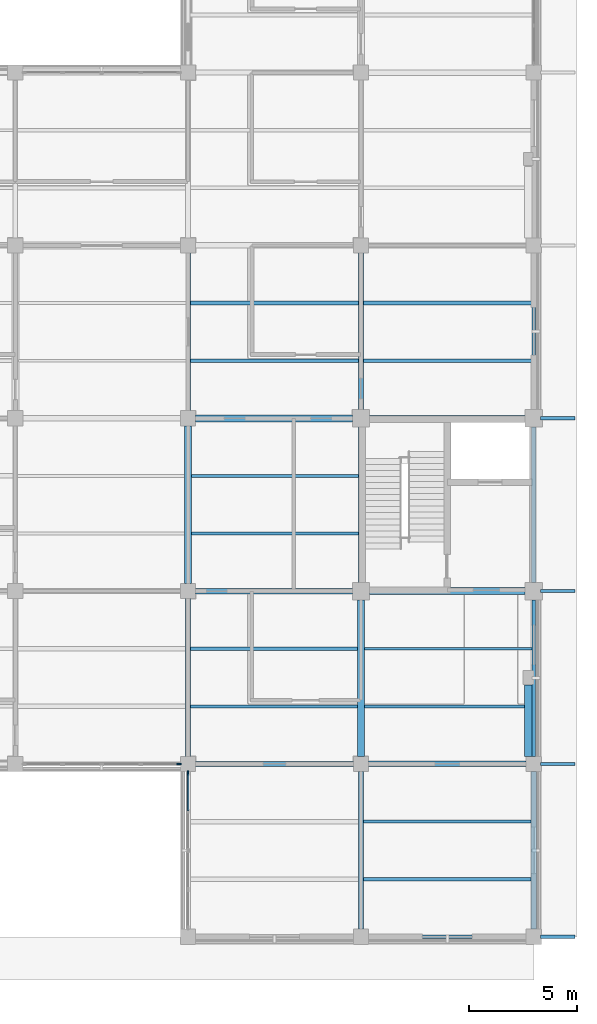
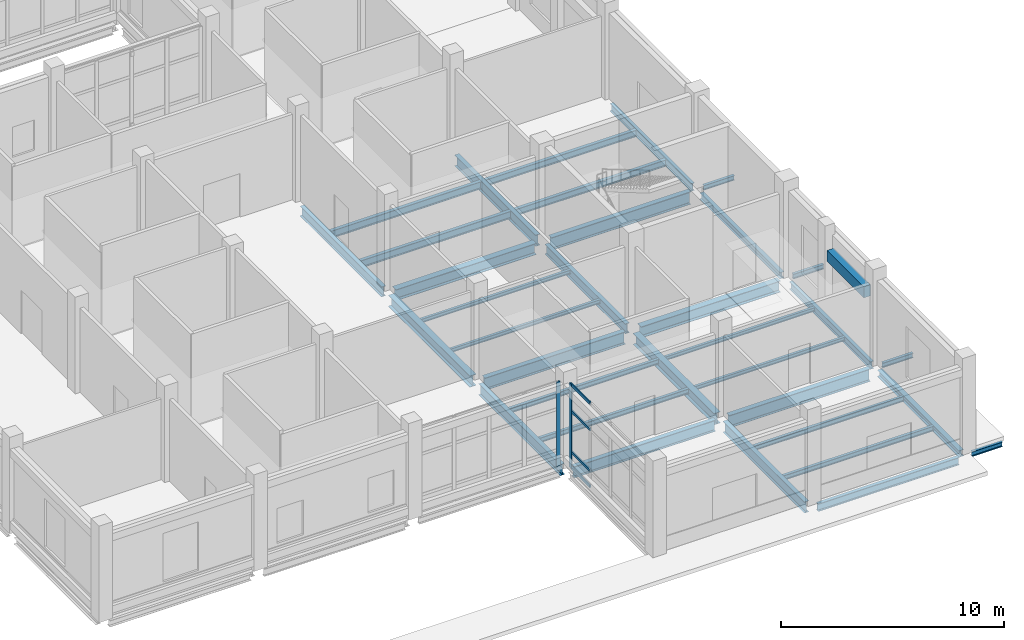
# One storey, part 35 of 105: 35 beams, 6 members, 2 elements without a shape of their own.
"""IFC4 building model written with IfcOpenShell, lengths in metres."""

import ifcopenshell
import ifcopenshell.guid

model = None  # the IFC model being written
_history = None  # IfcOwnerHistory: only IFC2X3 demands one
_inside = {}  # id of a spatial element -> (the spatial element, [elements in it])
_under = {}  # id of a project, library or spatial element -> (it, [spatial elements below it])
_declared = {}  # id of a project -> (the project, [libraries it declares])
_typed = {}  # id of a type object -> (the type object, [elements of that type])
_made_of = {}  # id of a material, layer set ... -> (it, [elements and type objects made of it])


def new_model(schema):
    """Start an empty IFC model of exactly this schema.

    Asked for "IFC4X3", IfcOpenShell would pick the latest addendum, in which some entities
    have other attributes; the version numbers below select the first issue.
    IFC2X3 requires an IfcOwnerHistory on every rooted entity: one is made here for all.
    """
    global model, _history
    if schema == "IFC4X3":
        model = ifcopenshell.file(schema_version=(4, 3, 0, 0))
    else:
        model = ifcopenshell.file(schema=schema)
    _inside.clear()
    _under.clear()
    _declared.clear()
    _typed.clear()
    _made_of.clear()
    _history = None
    if model.schema == "IFC2X3":
        org = make("IfcOrganization", Name="unknown")
        user = make(
            "IfcPersonAndOrganization",
            ThePerson=make("IfcPerson", FamilyName="unknown"),
            TheOrganization=org,
        )
        app = make(
            "IfcApplication",
            ApplicationDeveloper=org,
            Version="unknown",
            ApplicationFullName="unknown",
            ApplicationIdentifier="unknown",
        )
        _history = make(
            "IfcOwnerHistory",
            OwningUser=user,
            OwningApplication=app,
            ChangeAction="ADDED",
            CreationDate=0,
        )
    return model


def make(cls, **values):
    """One entity of the class cls with the attributes given. An attribute that is None is left unset."""
    return model.create_entity(
        cls, **{name: value for name, value in values.items() if value is not None}
    )


def rooted(cls, **values):
    """An entity with a GlobalId (a new one), such as an element, a storey or a relation."""
    return make(cls, GlobalId=ifcopenshell.guid.new(), OwnerHistory=_history, **values)


def si_unit(unit_type, name, prefix=None):
    """IfcSIUnit, for example si_unit("LENGTHUNIT", "METRE", prefix="MILLI")."""
    return make("IfcSIUnit", UnitType=unit_type, Prefix=prefix, Name=name)


def derived_unit(unit_type, elements):
    """IfcDerivedUnit: a product of units, each with its exponent."""
    return make(
        "IfcDerivedUnit",
        Elements=[
            make("IfcDerivedUnitElement", Unit=unit, Exponent=power)
            for unit, power in elements
        ],
        UnitType=unit_type,
    )


def assignment(units):
    """IfcUnitAssignment: the units of a project."""
    return None if units is None else make("IfcUnitAssignment", Units=units)


def point(xyz):
    """IfcCartesianPoint."""
    return None if xyz is None else make("IfcCartesianPoint", Coordinates=xyz)


def direction(xyz):
    """IfcDirection."""
    return None if xyz is None else make("IfcDirection", DirectionRatios=xyz)


def frame(location, z_axis=None, x_axis=None):
    """IfcAxis2Placement3D, a coordinate frame: its origin and axes. An axis left out is left unset."""
    return make(
        "IfcAxis2Placement3D",
        Location=point(location),
        Axis=direction(z_axis),
        RefDirection=direction(x_axis),
    )


def frame_2d(location, x_axis=None):
    """IfcAxis2Placement2D, a coordinate frame in the plane: its origin and x axis."""
    return make(
        "IfcAxis2Placement2D", Location=point(location), RefDirection=direction(x_axis)
    )


def origin():
    """The frame at (0, 0, 0) with its axes left unset."""
    return frame((0.0, 0.0, 0.0))


def origin_2d():
    """The frame at (0, 0) in the plane with its x axis left unset."""
    return frame_2d((0.0, 0.0))


def place(relative_to, where):
    """IfcLocalPlacement: puts the frame where relative to a parent placement (None: the world)."""
    return make(
        "IfcLocalPlacement", PlacementRelTo=relative_to, RelativePlacement=where
    )


def context(
    kind, dimensions, precision=None, world=None, true_north=None, identifier=None
):
    """IfcGeometricRepresentationContext, for example the 3D "Model" context."""
    return make(
        "IfcGeometricRepresentationContext",
        ContextIdentifier=identifier,
        ContextType=kind,
        CoordinateSpaceDimension=dimensions,
        Precision=precision,
        WorldCoordinateSystem=world,
        TrueNorth=true_north,
    )


def subcontext(parent, identifier, kind, view, scale=None):
    """IfcGeometricRepresentationSubContext, for example "Body" below "Model"."""
    return make(
        "IfcGeometricRepresentationSubContext",
        ContextIdentifier=identifier,
        ContextType=kind,
        ParentContext=parent,
        TargetScale=scale,
        TargetView=view,
    )


def project(units=None, contexts=None):
    """IfcProject with its units and contexts."""
    return rooted(
        "IfcProject",
        Name="project",
        RepresentationContexts=contexts,
        UnitsInContext=assignment(units),
    )


def spatial(cls, under=None, at=None, **own):
    """A site, building, storey or space (cls), placed at a placement, below another one or the project."""
    s = rooted(cls, ObjectPlacement=at, **own)
    if under is not None:
        _under.setdefault(under.id(), (under, []))[1].append(s)
    return s


def profile(cls, at=None, kind="AREA", **sizes):
    """A parametric profile (cls). Its sizes go by their IFC names, for example OverallWidth=200.0."""
    return make(cls, ProfileType=kind, Position=at, **sizes)


def rectangle(**sizes):
    """IfcRectangleProfileDef."""
    return profile("IfcRectangleProfileDef", **sizes)


def i_section(**sizes):
    """IfcIShapeProfileDef."""
    return profile("IfcIShapeProfileDef", **sizes)


def extrude(swept, where, along, depth):
    """IfcExtrudedAreaSolid: the profile swept, set in the frame where, extruded along a direction by depth."""
    return make(
        "IfcExtrudedAreaSolid",
        SweptArea=swept,
        Position=where,
        ExtrudedDirection=direction(along),
        Depth=depth,
    )


def shape(context_of_items, identifier, shape_type, items):
    """IfcShapeRepresentation: the items that make up one representation, for example the "Body"."""
    return make(
        "IfcShapeRepresentation",
        ContextOfItems=context_of_items,
        RepresentationIdentifier=identifier,
        RepresentationType=shape_type,
        Items=items,
    )


def material(Name=None, Category=None):
    """IfcMaterial."""
    return make("IfcMaterial", Name=Name, Category=Category)


def layer(
    of_material, thickness, ventilated=None, Name=None, Category=None, Priority=None
):
    """IfcMaterialLayer: one layer of a wall or slab, of a material (None: an air gap)."""
    return make(
        "IfcMaterialLayer",
        Material=of_material,
        LayerThickness=thickness,
        IsVentilated=ventilated,
        Name=Name,
        Category=Category,
        Priority=Priority,
    )


def layer_set(layers, Name=None):
    """IfcMaterialLayerSet."""
    return make("IfcMaterialLayerSet", MaterialLayers=layers, LayerSetName=Name)


def material_profile(
    of_material, cross_section, Name=None, Category=None, Priority=None
):
    """IfcMaterialProfile: a cross section and its material."""
    return make(
        "IfcMaterialProfile",
        Name=Name,
        Material=of_material,
        Profile=cross_section,
        Priority=Priority,
        Category=Category,
    )


def profile_set(profiles, Name=None, composite=None):
    """IfcMaterialProfileSet."""
    return make(
        "IfcMaterialProfileSet",
        Name=Name,
        MaterialProfiles=profiles,
        CompositeProfile=composite,
    )


def made_of(thing, what):
    """Note that an element or type object is made of a material, layer set ...; save() writes the relation."""
    if what is not None:
        _made_of.setdefault(what.id(), (what, []))[1].append(thing)
    return thing


def type_object(cls, material=None, **own):
    """A type object (cls), such as IfcWallType, which elements share."""
    return made_of(rooted(cls, **own), material)


def element(
    cls,
    number,
    at=None,
    inside=None,
    cuts=None,
    type_object=None,
    material=None,
    context=None,
    identifier="Body",
    shape_type=None,
    held_by="IfcProductDefinitionShape",
    body=None,
    shapes=None,
    **own,
):
    """One element of the class cls, such as IfcWall. Its Tag is "e" and its number.

    at: its placement. inside: the storey or other place that contains it. cuts: it is an
    opening in that element (IfcRelVoidsElement). A single representation is given by context,
    identifier, shape_type and body (its items); several are given by shapes. held_by: the class
    of the entity that holds the representations. save() writes the other relations.
    """
    e = rooted(cls, Tag="e%d" % number, ObjectPlacement=at, **own)
    if body is not None:
        shapes = [shape(context, identifier, shape_type, body)]
    if shapes is not None:
        e.Representation = make(held_by, Representations=shapes)
    if inside is not None:
        _inside.setdefault(inside.id(), (inside, []))[1].append(e)
    if cuts is not None:
        rooted(
            "IfcRelVoidsElement", RelatingBuildingElement=cuts, RelatedOpeningElement=e
        )
    if type_object is not None:
        _typed.setdefault(type_object.id(), (type_object, []))[1].append(e)
    return made_of(e, material)


def aggregate(whole, parts):
    """IfcRelAggregates: a whole, such as a stair, and the parts it consists of."""
    return rooted("IfcRelAggregates", RelatingObject=whole, RelatedObjects=parts)


def save(model, path):
    """Write the relations noted so far, then the file.

    IfcRelAggregates (storeys below a building ...), IfcRelContainedInSpatialStructure (elements
    in a storey), IfcRelDefinesByType, IfcRelAssociatesMaterial and IfcRelDeclares: one each for
    every whole, place, type object, material and project.
    """
    for whole, parts in _under.values():
        aggregate(whole, parts)
    for where, things in _inside.values():
        rooted(
            "IfcRelContainedInSpatialStructure",
            RelatedElements=things,
            RelatingStructure=where,
        )
    for kind, things in _typed.values():
        rooted("IfcRelDefinesByType", RelatedObjects=things, RelatingType=kind)
    for what, things in _made_of.values():
        rooted("IfcRelAssociatesMaterial", RelatedObjects=things, RelatingMaterial=what)
    for by, libraries in _declared.values():
        rooted("IfcRelDeclares", RelatingContext=by, RelatedDefinitions=libraries)
    model.write(path)


model = new_model("IFC4")

# Units and contexts
model_context = context("Model", 3, precision=1e-05, world=origin(), true_north=direction((0.0, 1.0)))
body_context = subcontext(model_context, "Body", "Model", "MODEL_VIEW")
ifc_project = project(units=[si_unit("LENGTHUNIT", "METRE"), si_unit("AREAUNIT", "SQUARE_METRE"), si_unit("VOLUMEUNIT", "CUBIC_METRE"), si_unit("PLANEANGLEUNIT", "RADIAN"), si_unit("MASSUNIT", "GRAM", prefix="KILO"), derived_unit("THERMALTRANSMITTANCEUNIT", [(si_unit("MASSUNIT", "GRAM", prefix="KILO"), 1), (si_unit("TIMEUNIT", "SECOND"), -3), (si_unit("THERMODYNAMICTEMPERATUREUNIT", "KELVIN"), -1)])], contexts=[model_context])

# Site, building, storey
site_placement = place(None, origin())
site = spatial("IfcSite", under=ifc_project, at=site_placement, CompositionType="ELEMENT")
building_placement = place(site_placement, origin())
building = spatial("IfcBuilding", under=site, at=building_placement, Name="Veyamyaing Civic Hall", CompositionType="ELEMENT")
storey_placement = place(building_placement, origin())
storey = spatial("IfcBuildingStorey", under=building, at=storey_placement, Name="L00", CompositionType="ELEMENT", Elevation=0.0)

# Beams
ifc_material_1 = material(Name="Steel ASTM A992", Category="steel")
ifc_material_profile_1 = material_profile(ifc_material_1, i_section(OverallWidth=0.256103515625, OverallDepth=0.693115234375, WebThickness=0.014404296875, FlangeThickness=0.023681640625, FilletRadius=0.013916015625, at=origin_2d()), Name="W690X170")
ifc_profile_set_1 = profile_set([ifc_material_profile_1], Name="Steel ASTM A992")
beam_type_1 = type_object("IfcBeamType", Name="B-04", PredefinedType="BEAM", material=ifc_profile_set_1)
beam_1_placement = place(storey_placement, frame((168.39990234375, 24.0, -0.611572265625), z_axis=(1.0, 0.0, 0.0), x_axis=(0.0, 1.0, 0.0)))
element("IfcBeam", 1, at=beam_1_placement, inside=storey, type_object=beam_type_1, Name="Girder B-04 L00 Grid D 22-23", PredefinedType="BEAM", context=body_context, shape_type="SweptSolid", body=[
    extrude(i_section(OverallWidth=0.256103515625, OverallDepth=0.693115234375, WebThickness=0.014404296875, FlangeThickness=0.023681640625, FilletRadius=0.013916015625, at=origin_2d()), origin(), (0.0, 0.0, 1.0), 7.2001953125),
])
ifc_material_profile_2 = material_profile(ifc_material_1, i_section(OverallWidth=0.22998046875, OverallDepth=0.616943359375, WebThickness=0.01318359375, FlangeThickness=0.022216796875, FilletRadius=0.012939453125, at=origin_2d()), Name="W610X140")
ifc_profile_set_2 = profile_set([ifc_material_profile_2], Name="Steel ASTM A992")
beam_type_2 = type_object("IfcBeamType", Name="B-05", PredefinedType="BEAM", material=ifc_profile_set_2)
beam_2_placement = place(storey_placement, frame((160.35009765625, 8.0, -0.573486328125), z_axis=(1.0, 0.0, 0.0), x_axis=(0.0, 1.0, 0.0)))
element("IfcBeam", 2, at=beam_2_placement, inside=storey, type_object=beam_type_2, Name="Girder B-05 L00 Grid B 21-22", PredefinedType="BEAM", context=body_context, shape_type="SweptSolid", body=[
    extrude(i_section(OverallWidth=0.22998046875, OverallDepth=0.616943359375, WebThickness=0.01318359375, FlangeThickness=0.022216796875, FilletRadius=0.012939453125, at=origin_2d()), origin(), (0.0, 0.0, 1.0), 7.2998046875),
])
beam_3_placement = place(storey_placement, frame((168.0, 24.39990234375, -0.573486328125), z_axis=(0.0, 1.0, 0.0), x_axis=(-1.0, 0.0, 0.0)))
element("IfcBeam", 3, at=beam_3_placement, inside=storey, type_object=beam_type_2, Name="Girder B-05 L00 Grid 22 D-E", PredefinedType="BEAM", context=body_context, shape_type="SweptSolid", body=[
    extrude(i_section(OverallWidth=0.22998046875, OverallDepth=0.616943359375, WebThickness=0.01318359375, FlangeThickness=0.022216796875, FilletRadius=0.012939453125, at=origin_2d()), origin(), (0.0, 0.0, 1.0), 7.25),
])
ifc_material_profile_3 = material_profile(ifc_material_1, i_section(OverallWidth=0.22802734375, OverallDepth=0.60791015625, WebThickness=0.01123046875, FlangeThickness=0.017333984375, FilletRadius=0.012939453125, at=origin_2d()), Name="W610X113")
ifc_profile_set_3 = profile_set([ifc_material_profile_3], Name="Steel ASTM A992")
beam_type_3 = type_object("IfcBeamType", Name="B-06", PredefinedType="BEAM", material=ifc_profile_set_3)
for number, where, z_axis, x_axis, name in (
    (4, (160.0, 8.35009765625, -0.569091796875), (0.0, 1.0, 0.0), (-1.0, 0.0, 0.0), "Girder B-06 L00 Grid 21 B-C"),
    (5, (168.0, 0.35009765625, -0.569091796875), (0.0, 1.0, 0.0), (-1.0, 0.0, 0.0), "Girder B-06 L00 Grid 22 A-B"),
):
    element("IfcBeam", number, at=place(storey_placement, frame(where, z_axis=z_axis, x_axis=x_axis)), inside=storey, type_object=beam_type_3, Name=name, PredefinedType="BEAM", context=body_context, shape_type="SweptSolid", body=[
        extrude(i_section(OverallWidth=0.22802734375, OverallDepth=0.60791015625, WebThickness=0.01123046875, FlangeThickness=0.017333984375, FilletRadius=0.012939453125, at=origin_2d()), origin(), (0.0, 0.0, 1.0), 7.2998046875),
    ])
ifc_material_profile_4 = material_profile(ifc_material_1, i_section(OverallWidth=0.179931640625, OverallDepth=0.4130859375, WebThickness=0.009765625, FlangeThickness=0.01611328125, FilletRadius=0.010009765625, at=origin_2d()), Name="W410X74")
ifc_profile_set_4 = profile_set([ifc_material_profile_4], Name="Steel ASTM A992")
beam_type_4 = type_object("IfcBeamType", Name="B-10", PredefinedType="SPANDREL", material=ifc_profile_set_4)
beam_4_placement = place(storey_placement, frame((176.0, 8.35009765625, -0.471435546875), z_axis=(0.0, 1.0, 0.0), x_axis=(-1.0, 0.0, 0.0)))
element("IfcBeam", 6, at=beam_4_placement, inside=storey, type_object=beam_type_4, Name="Girder B-10 L00 Grid 23 B-C", PredefinedType="SPANDREL", context=body_context, shape_type="SweptSolid", body=[
    extrude(i_section(OverallWidth=0.179931640625, OverallDepth=0.4130859375, WebThickness=0.009765625, FlangeThickness=0.01611328125, FilletRadius=0.010009765625, at=origin_2d()), origin(), (0.0, 0.0, 1.0), 7.25),
])
ifc_material_profile_5 = material_profile(ifc_material_1, i_section(OverallWidth=0.2041015625, OverallDepth=0.35009765625, WebThickness=0.0078125, FlangeThickness=0.01513671875, FilletRadius=0.010009765625, at=origin_2d()), Name="W360X72")
ifc_profile_set_5 = profile_set([ifc_material_profile_5], Name="Steel ASTM A992")
beam_type_5 = type_object("IfcBeamType", Name="B-11", PredefinedType="SPANDREL", material=ifc_profile_set_5)
beam_5_placement = place(storey_placement, frame((176.0, 16.39990234375, -0.43994140625), z_axis=(0.0, 1.0, 0.0), x_axis=(-1.0, 0.0, 0.0)))
element("IfcBeam", 7, at=beam_5_placement, inside=storey, type_object=beam_type_5, Name="Girder B-11 L00 Grid 23 C-D", PredefinedType="SPANDREL", context=body_context, shape_type="SweptSolid", body=[
    extrude(i_section(OverallWidth=0.2041015625, OverallDepth=0.35009765625, WebThickness=0.0078125, FlangeThickness=0.01513671875, FilletRadius=0.010009765625, at=origin_2d()), origin(), (0.0, 0.0, 1.0), 7.2001953125),
])
ifc_material_profile_6 = material_profile(ifc_material_1, i_section(OverallWidth=0.14599609375, OverallDepth=0.258056640625, WebThickness=0.006103515625, FlangeThickness=0.009033203125, FilletRadius=0.010009765625, at=origin_2d()), Name="W250X33")
ifc_profile_set_6 = profile_set([ifc_material_profile_6], Name="Steel ASTM A992")
beam_type_6 = type_object("IfcBeamType", Name="B-12", PredefinedType="BEAM", material=ifc_profile_set_6)
for number, where, z_axis, x_axis, name in (
    (8, (176.320068359375, 0.0, -0.34912109375), (1.0, 0.0, 0.0), (0.0, 1.0, 0.0), "Colonnade deck transverse beam B-12 E.0"),
    (9, (176.320068359375, 8.0, -0.34912109375), (1.0, 0.0, 0.0), (0.0, 1.0, 0.0), "Colonnade deck transverse beam B-12 E.1"),
    (10, (176.320068359375, 16.0, -0.34912109375), (1.0, 0.0, 0.0), (0.0, 1.0, 0.0), "Colonnade deck transverse beam B-12 E.2"),
    (11, (176.320068359375, 24.0, -0.34912109375), (1.0, 0.0, 0.0), (0.0, 1.0, 0.0), "Colonnade deck transverse beam B-12 E.3"),
):
    element("IfcBeam", number, at=place(storey_placement, frame(where, z_axis=z_axis, x_axis=x_axis)), inside=storey, type_object=beam_type_6, Name=name, PredefinedType="BEAM", context=body_context, shape_type="SweptSolid", body=[
        extrude(i_section(OverallWidth=0.14599609375, OverallDepth=0.258056640625, WebThickness=0.006103515625, FlangeThickness=0.009033203125, FilletRadius=0.010009765625, at=origin_2d()), origin(), (0.0, 0.0, 1.0), 1.579833984375),
    ])
ifc_material_profile_7 = material_profile(ifc_material_1, i_section(OverallWidth=0.25390625, OverallDepth=0.68408203125, WebThickness=0.012451171875, FlangeThickness=0.01904296875, FilletRadius=0.013916015625, at=origin_2d()), Name="W690X140")
ifc_profile_set_7 = profile_set([ifc_material_profile_7], Name="Steel ASTM A992")
beam_type_7 = type_object("IfcBeamType", Name="B-14", PredefinedType="BEAM", material=ifc_profile_set_7)
beam_6_placement = place(storey_placement, frame((168.35009765625, 8.0, -0.60693359375), z_axis=(1.0, 0.0, 0.0), x_axis=(0.0, 1.0, 0.0)))
element("IfcBeam", 12, at=beam_6_placement, inside=storey, type_object=beam_type_7, Name="Girder B-14 L00 Grid B 22-23", PredefinedType="BEAM", context=body_context, shape_type="SweptSolid", body=[
    extrude(i_section(OverallWidth=0.25390625, OverallDepth=0.68408203125, WebThickness=0.012451171875, FlangeThickness=0.01904296875, FilletRadius=0.013916015625, at=origin_2d()), origin(), (0.0, 0.0, 1.0), 7.2998046875),
])
beam_7_placement = place(storey_placement, frame((160.35009765625, 16.0, -0.60693359375), z_axis=(1.0, 0.0, 0.0), x_axis=(0.0, 1.0, 0.0)))
element("IfcBeam", 13, at=beam_7_placement, inside=storey, type_object=beam_type_7, Name="Girder B-14 L00 Grid C 21-22", PredefinedType="BEAM", context=body_context, shape_type="SweptSolid", body=[
    extrude(i_section(OverallWidth=0.25390625, OverallDepth=0.68408203125, WebThickness=0.012451171875, FlangeThickness=0.01904296875, FilletRadius=0.013916015625, at=origin_2d()), origin(), (0.0, 0.0, 1.0), 7.25),
])
ifc_material_profile_8 = material_profile(ifc_material_1, i_section(OverallWidth=0.324951171875, OverallDepth=0.615966796875, WebThickness=0.013916015625, FlangeThickness=0.021484375, FilletRadius=0.013916015625, at=origin_2d()), Name="W610X174")
ifc_profile_set_8 = profile_set([ifc_material_profile_8], Name="Steel ASTM A992")
beam_type_8 = type_object("IfcBeamType", Name="B-15", PredefinedType="BEAM", material=ifc_profile_set_8)
beam_8_placement = place(storey_placement, frame((168.39990234375, 16.0, -0.572998046875), z_axis=(1.0, 0.0, 0.0), x_axis=(0.0, 1.0, 0.0)))
element("IfcBeam", 14, at=beam_8_placement, inside=storey, type_object=beam_type_8, Name="Girder B-15 L00 Grid C 22-23", PredefinedType="BEAM", context=body_context, shape_type="SweptSolid", body=[
    extrude(i_section(OverallWidth=0.324951171875, OverallDepth=0.615966796875, WebThickness=0.013916015625, FlangeThickness=0.021484375, FilletRadius=0.013916015625, at=origin_2d()), origin(), (0.0, 0.0, 1.0), 7.2001953125),
])
beam_9_placement = place(storey_placement, frame((160.35009765625, 24.0, -0.572998046875), z_axis=(1.0, 0.0, 0.0), x_axis=(0.0, 1.0, 0.0)))
element("IfcBeam", 15, at=beam_9_placement, inside=storey, type_object=beam_type_8, Name="Girder B-15 L00 Grid D 21-22", PredefinedType="BEAM", context=body_context, shape_type="SweptSolid", body=[
    extrude(i_section(OverallWidth=0.324951171875, OverallDepth=0.615966796875, WebThickness=0.013916015625, FlangeThickness=0.021484375, FilletRadius=0.013916015625, at=origin_2d()), origin(), (0.0, 0.0, 1.0), 7.25),
])
beam_10_placement = place(storey_placement, frame((160.0, 16.35009765625, -0.572998046875), z_axis=(0.0, 1.0, 0.0), x_axis=(-1.0, 0.0, 0.0)))
element("IfcBeam", 16, at=beam_10_placement, inside=storey, type_object=beam_type_8, Name="Girder B-15 L00 Grid 21 C-D", PredefinedType="BEAM", context=body_context, shape_type="SweptSolid", body=[
    extrude(i_section(OverallWidth=0.324951171875, OverallDepth=0.615966796875, WebThickness=0.013916015625, FlangeThickness=0.021484375, FilletRadius=0.013916015625, at=origin_2d()), origin(), (0.0, 0.0, 1.0), 7.2998046875),
])
beam_11_placement = place(storey_placement, frame((168.0, 8.35009765625, -0.572998046875), z_axis=(0.0, 1.0, 0.0), x_axis=(-1.0, 0.0, 0.0)))
element("IfcBeam", 17, at=beam_11_placement, inside=storey, type_object=beam_type_8, Name="Girder B-15 L00 Grid 22 B-C", PredefinedType="BEAM", context=body_context, shape_type="SweptSolid", body=[
    extrude(i_section(OverallWidth=0.324951171875, OverallDepth=0.615966796875, WebThickness=0.013916015625, FlangeThickness=0.021484375, FilletRadius=0.013916015625, at=origin_2d()), origin(), (0.0, 0.0, 1.0), 7.25),
])
ifc_material_profile_9 = material_profile(ifc_material_1, i_section(OverallWidth=0.214111328125, OverallDepth=0.549072265625, WebThickness=0.0146484375, FlangeThickness=0.023681640625, FilletRadius=0.011962890625, at=origin_2d()), Name="W530X138")
ifc_profile_set_9 = profile_set([ifc_material_profile_9], Name="Steel ASTM A992")
beam_type_9 = type_object("IfcBeamType", Name="B-16", PredefinedType="BEAM", material=ifc_profile_set_9)
beam_12_placement = place(storey_placement, frame((160.0, 24.35009765625, -0.53955078125), z_axis=(0.0, 1.0, 0.0), x_axis=(-1.0, 0.0, 0.0)))
element("IfcBeam", 18, at=beam_12_placement, inside=storey, type_object=beam_type_9, Name="Girder B-16 L00 Grid 21 D-E", PredefinedType="BEAM", context=body_context, shape_type="SweptSolid", body=[
    extrude(i_section(OverallWidth=0.214111328125, OverallDepth=0.549072265625, WebThickness=0.0146484375, FlangeThickness=0.023681640625, FilletRadius=0.011962890625, at=origin_2d()), origin(), (0.0, 0.0, 1.0), 7.2998046875),
])
beam_13_placement = place(storey_placement, frame((168.0, 16.39990234375, -0.53955078125), z_axis=(0.0, 1.0, 0.0), x_axis=(-1.0, 0.0, 0.0)))
element("IfcBeam", 19, at=beam_13_placement, inside=storey, type_object=beam_type_9, Name="Girder B-16 L00 Grid 22 C-D", PredefinedType="BEAM", context=body_context, shape_type="SweptSolid", body=[
    extrude(i_section(OverallWidth=0.214111328125, OverallDepth=0.549072265625, WebThickness=0.0146484375, FlangeThickness=0.023681640625, FilletRadius=0.011962890625, at=origin_2d()), origin(), (0.0, 0.0, 1.0), 7.2001953125),
])
ifc_material_profile_10 = material_profile(ifc_material_1, i_section(OverallWidth=0.180908203125, OverallDepth=0.4169921875, WebThickness=0.010986328125, FlangeThickness=0.018310546875, FilletRadius=0.010009765625, at=origin_2d()), Name="W410X85")
ifc_profile_set_10 = profile_set([ifc_material_profile_10], Name="Steel ASTM A992")
beam_type_10 = type_object("IfcBeamType", Name="B-19", PredefinedType="SPANDREL", material=ifc_profile_set_10)
beam_14_placement = place(storey_placement, frame((168.35009765625, 0.0, -0.473388671875), z_axis=(1.0, 0.0, 0.0), x_axis=(0.0, 1.0, 0.0)))
element("IfcBeam", 20, at=beam_14_placement, inside=storey, type_object=beam_type_10, Name="Girder B-19 L00 Grid A 22-23", PredefinedType="SPANDREL", context=body_context, shape_type="SweptSolid", body=[
    extrude(i_section(OverallWidth=0.180908203125, OverallDepth=0.4169921875, WebThickness=0.010986328125, FlangeThickness=0.018310546875, FilletRadius=0.010009765625, at=origin_2d()), origin(), (0.0, 0.0, 1.0), 7.2998046875),
])
beam_15_placement = place(storey_placement, frame((176.0, 24.39990234375, -0.473388671875), z_axis=(0.0, 1.0, 0.0), x_axis=(-1.0, 0.0, 0.0)))
element("IfcBeam", 21, at=beam_15_placement, inside=storey, type_object=beam_type_10, Name="Girder B-19 L00 Grid 23 D-E", PredefinedType="SPANDREL", context=body_context, shape_type="SweptSolid", body=[
    extrude(i_section(OverallWidth=0.180908203125, OverallDepth=0.4169921875, WebThickness=0.010986328125, FlangeThickness=0.018310546875, FilletRadius=0.010009765625, at=origin_2d()), origin(), (0.0, 0.0, 1.0), 7.25),
])
ifc_material_profile_11 = material_profile(ifc_material_1, i_section(OverallWidth=0.25390625, OverallDepth=0.35302734375, WebThickness=0.009521484375, FlangeThickness=0.016357421875, FilletRadius=0.011962890625, at=origin_2d()), Name="W360X91")
ifc_profile_set_11 = profile_set([ifc_material_profile_11], Name="Steel ASTM A992")
beam_type_11 = type_object("IfcBeamType", Name="B-20", PredefinedType="SPANDREL", material=ifc_profile_set_11)
beam_16_placement = place(storey_placement, frame((176.0, 0.35009765625, -0.44140625), z_axis=(0.0, 1.0, 0.0), x_axis=(-1.0, 0.0, 0.0)))
element("IfcBeam", 22, at=beam_16_placement, inside=storey, type_object=beam_type_11, Name="Girder B-20 L00 Grid 23 A-B", PredefinedType="SPANDREL", context=body_context, shape_type="SweptSolid", body=[
    extrude(i_section(OverallWidth=0.25390625, OverallDepth=0.35302734375, WebThickness=0.009521484375, FlangeThickness=0.016357421875, FilletRadius=0.011962890625, at=origin_2d()), origin(), (0.0, 0.0, 1.0), 7.2998046875),
])

# Curtain wall, member
ifc_material_2 = material(Name="Anodised aluminium 6063-T6", Category="aluminium")
ifc_layer = layer(ifc_material_2, 0.199951171875, Name="Anodised aluminium 6063-T6")
ifc_layer_set = layer_set([ifc_layer], Name="Anodised aluminium 6063-T6")
curtain_wall_type = type_object("IfcCurtainWallType", Name="CW-10", PredefinedType="NOTDEFINED", material=ifc_layer_set)
curtain_wall_1_placement = place(storey_placement, origin())
curtain_wall_1 = element("IfcCurtainWall", 23, at=curtain_wall_1_placement, inside=storey, type_object=curtain_wall_type, Name="Unitized curtain wall CW-10 L00 S 20.2", PredefinedType="NOTDEFINED")
ifc_material_profile_12 = material_profile(ifc_material_2, rectangle(XDim=0.070068359375, YDim=0.199951171875, at=origin_2d()), Name="ALU-MUL-70X200")
ifc_profile_set_12 = profile_set([ifc_material_profile_12], Name="Anodised aluminium 6063-T6")
member_type_1 = type_object("IfcMemberType", Name="CWM-04", PredefinedType="MULLION", material=ifc_profile_set_12)
member_1_placement = place(storey_placement, frame((159.5849609375, 8.0, 0.0), z_axis=(0.0, 0.0, 1.0), x_axis=(0.0, 1.0, 0.0)))
member_1 = element("IfcMember", 24, at=member_1_placement, type_object=member_type_1, Name="CW-10 mullion 5", PredefinedType="MULLION", context=body_context, shape_type="SweptSolid", body=[
    extrude(rectangle(XDim=0.070068359375, YDim=0.199951171875, at=origin_2d()), origin(), (0.0, 0.0, 1.0), 4.610107421875),
])
aggregate(curtain_wall_1, [member_1])

# Curtain wall, members
curtain_wall_2_placement = place(storey_placement, origin())
curtain_wall_2 = element("IfcCurtainWall", 25, at=curtain_wall_2_placement, inside=storey, type_object=curtain_wall_type, Name="Unitized curtain wall CW-10 L00 W 21.1", PredefinedType="NOTDEFINED")
member_2_placement = place(storey_placement, frame((160.0, 7.5849609375, 0.0), z_axis=(0.0, 0.0, 1.0), x_axis=(-1.0, 0.0, 0.0)))
member_2 = element("IfcMember", 26, at=member_2_placement, type_object=member_type_1, Name="CW-10 mullion 5", PredefinedType="MULLION", context=body_context, shape_type="SweptSolid", body=[
    extrude(rectangle(XDim=0.070068359375, YDim=0.199951171875, at=origin_2d()), origin(), (0.0, 0.0, 1.0), 4.610107421875),
])
ifc_material_profile_13 = material_profile(ifc_material_2, rectangle(XDim=0.070068359375, YDim=0.14990234375, at=origin_2d()), Name="ALU-TRN-70X150")
ifc_profile_set_13 = profile_set([ifc_material_profile_13], Name="Anodised aluminium 6063-T6")
member_type_2 = type_object("IfcMemberType", Name="CWT-04", PredefinedType="USERDEFINED", material=ifc_profile_set_13)
member_3_placement = place(storey_placement, frame((160.0, 5.844970703125, 0.034912109375), z_axis=(0.0, 1.0, 0.0), x_axis=(-1.0, 0.0, 0.0)))
member_3 = element("IfcMember", 27, at=member_3_placement, type_object=member_type_2, Name="CW-10 transom 4.1", ObjectType="TRANSOM", PredefinedType="USERDEFINED", context=body_context, shape_type="SweptSolid", body=[
    extrude(rectangle(XDim=0.070068359375, YDim=0.14990234375, at=origin_2d()), origin(), (0.0, 0.0, 1.0), 1.705078125),
])
member_4_placement = place(storey_placement, frame((160.0, 5.844970703125, 0.89990234375), z_axis=(0.0, 1.0, 0.0), x_axis=(-1.0, 0.0, 0.0)))
member_4 = element("IfcMember", 28, at=member_4_placement, type_object=member_type_2, Name="CW-10 transom 4.2", ObjectType="TRANSOM", PredefinedType="USERDEFINED", context=body_context, shape_type="SweptSolid", body=[
    extrude(rectangle(XDim=0.070068359375, YDim=0.14990234375, at=origin_2d()), origin(), (0.0, 0.0, 1.0), 1.705078125),
])
member_5_placement = place(storey_placement, frame((160.0, 5.844970703125, 3.134765625), z_axis=(0.0, 1.0, 0.0), x_axis=(-1.0, 0.0, 0.0)))
member_5 = element("IfcMember", 29, at=member_5_placement, type_object=member_type_2, Name="CW-10 transom 4.3", ObjectType="TRANSOM", PredefinedType="USERDEFINED", context=body_context, shape_type="SweptSolid", body=[
    extrude(rectangle(XDim=0.070068359375, YDim=0.14990234375, at=origin_2d()), origin(), (0.0, 0.0, 1.0), 1.705078125),
])
member_6_placement = place(storey_placement, frame((160.0, 5.844970703125, 4.574951171875), z_axis=(0.0, 1.0, 0.0), x_axis=(-1.0, 0.0, 0.0)))
member_6 = element("IfcMember", 30, at=member_6_placement, type_object=member_type_2, Name="CW-10 transom 4.4", ObjectType="TRANSOM", PredefinedType="USERDEFINED", context=body_context, shape_type="SweptSolid", body=[
    extrude(rectangle(XDim=0.070068359375, YDim=0.14990234375, at=origin_2d()), origin(), (0.0, 0.0, 1.0), 1.705078125),
])
aggregate(curtain_wall_2, [member_2, member_3, member_4, member_5, member_6])

# Beams
ifc_material_profile_14 = material_profile(ifc_material_1, i_section(OverallWidth=0.177978515625, OverallDepth=0.406982421875, WebThickness=0.0078125, FlangeThickness=0.0126953125, FilletRadius=0.010009765625, at=origin_2d()), Name="W410X60")
ifc_profile_set_14 = profile_set([ifc_material_profile_14], Name="Steel ASTM A992")
beam_type_12 = type_object("IfcBeamType", Name="J-01", PredefinedType="JOIST", material=ifc_profile_set_14)
for number, where, z_axis, x_axis, name in (
    (31, (160.10498046875, 26.666748046875, -0.468505859375), (1.0, 0.0, 0.0), (0.0, 1.0, 0.0), "Composite floor joist J-01 L00 21.4.1"),
    (32, (160.10498046875, 29.333251953125, -0.468505859375), (1.0, 0.0, 0.0), (0.0, 1.0, 0.0), "Composite floor joist J-01 L00 21.4.2"),
):
    element("IfcBeam", number, at=place(storey_placement, frame(where, z_axis=z_axis, x_axis=x_axis)), inside=storey, type_object=beam_type_12, Name=name, PredefinedType="JOIST", context=body_context, shape_type="SweptSolid", body=[
        extrude(i_section(OverallWidth=0.177978515625, OverallDepth=0.406982421875, WebThickness=0.0078125, FlangeThickness=0.0126953125, FilletRadius=0.010009765625, at=origin_2d()), origin(), (0.0, 0.0, 1.0), 7.781982421875),
    ])
ifc_material_profile_15 = material_profile(ifc_material_1, i_section(OverallWidth=0.172119140625, OverallDepth=0.35791015625, WebThickness=0.0078125, FlangeThickness=0.01318359375, FilletRadius=0.010009765625, at=origin_2d()), Name="W360X57")
ifc_profile_set_15 = profile_set([ifc_material_profile_15], Name="Steel ASTM A992")
beam_type_13 = type_object("IfcBeamType", Name="J-02", PredefinedType="JOIST", material=ifc_profile_set_15)
for number, where, z_axis, x_axis, name in (
    (33, (168.113037109375, 26.666748046875, -0.444091796875), (1.0, 0.0, 0.0), (0.0, 1.0, 0.0), "Composite floor joist J-02 L00 22.4.1"),
    (34, (168.113037109375, 29.333251953125, -0.444091796875), (1.0, 0.0, 0.0), (0.0, 1.0, 0.0), "Composite floor joist J-02 L00 22.4.2"),
):
    element("IfcBeam", number, at=place(storey_placement, frame(where, z_axis=z_axis, x_axis=x_axis)), inside=storey, type_object=beam_type_13, Name=name, PredefinedType="JOIST", context=body_context, shape_type="SweptSolid", body=[
        extrude(i_section(OverallWidth=0.172119140625, OverallDepth=0.35791015625, WebThickness=0.0078125, FlangeThickness=0.01318359375, FilletRadius=0.010009765625, at=origin_2d()), origin(), (0.0, 0.0, 1.0), 7.798583984375),
    ])
ifc_material_profile_16 = material_profile(ifc_material_1, i_section(OverallWidth=0.14794921875, OverallDepth=0.26611328125, WebThickness=0.007568359375, FlangeThickness=0.012939453125, FilletRadius=0.010009765625, at=origin_2d()), Name="W250X45")
ifc_profile_set_16 = profile_set([ifc_material_profile_16], Name="Steel ASTM A992")
beam_type_14 = type_object("IfcBeamType", Name="J-07", PredefinedType="JOIST", material=ifc_profile_set_16)
for number, where, z_axis, x_axis, name in (
    (35, (160.112060546875, 10.666748046875, -0.39794921875), (1.0, 0.0, 0.0), (0.0, 1.0, 0.0), "Composite floor joist J-07 L00 21.2.1"),
    (36, (160.112060546875, 13.333251953125, -0.39794921875), (1.0, 0.0, 0.0), (0.0, 1.0, 0.0), "Composite floor joist J-07 L00 21.2.2"),
):
    element("IfcBeam", number, at=place(storey_placement, frame(where, z_axis=z_axis, x_axis=x_axis)), inside=storey, type_object=beam_type_14, Name=name, PredefinedType="JOIST", context=body_context, shape_type="SweptSolid", body=[
        extrude(i_section(OverallWidth=0.14794921875, OverallDepth=0.26611328125, WebThickness=0.007568359375, FlangeThickness=0.012939453125, FilletRadius=0.010009765625, at=origin_2d()), origin(), (0.0, 0.0, 1.0), 7.7275390625),
    ])
for number, where, z_axis, x_axis, name in (
    (37, (168.112060546875, 2.666748046875, -0.39794921875), (1.0, 0.0, 0.0), (0.0, 1.0, 0.0), "Composite floor joist J-07 L00 22.1.1"),
    (38, (168.112060546875, 5.333251953125, -0.39794921875), (1.0, 0.0, 0.0), (0.0, 1.0, 0.0), "Composite floor joist J-07 L00 22.1.2"),
):
    element("IfcBeam", number, at=place(storey_placement, frame(where, z_axis=z_axis, x_axis=x_axis)), inside=storey, type_object=beam_type_14, Name=name, PredefinedType="JOIST", context=body_context, shape_type="SweptSolid", body=[
        extrude(i_section(OverallWidth=0.14794921875, OverallDepth=0.26611328125, WebThickness=0.007568359375, FlangeThickness=0.012939453125, FilletRadius=0.010009765625, at=origin_2d()), origin(), (0.0, 0.0, 1.0), 7.762939453125),
    ])
ifc_material_profile_17 = material_profile(ifc_material_1, i_section(OverallWidth=0.133056640625, OverallDepth=0.20703125, WebThickness=0.005859375, FlangeThickness=0.00830078125, FilletRadius=0.010009765625, at=origin_2d()), Name="W200X27")
ifc_profile_set_17 = profile_set([ifc_material_profile_17], Name="Steel ASTM A992")
beam_type_15 = type_object("IfcBeamType", Name="J-08", PredefinedType="JOIST", material=ifc_profile_set_17)
for number, where, z_axis, x_axis, name in (
    (39, (160.160400390625, 18.666748046875, -0.368408203125), (1.0, 0.0, 0.0), (0.0, 1.0, 0.0), "Composite floor joist J-08 L00 21.3.1"),
    (40, (160.160400390625, 21.333251953125, -0.368408203125), (1.0, 0.0, 0.0), (0.0, 1.0, 0.0), "Composite floor joist J-08 L00 21.3.2"),
):
    element("IfcBeam", number, at=place(storey_placement, frame(where, z_axis=z_axis, x_axis=x_axis)), inside=storey, type_object=beam_type_15, Name=name, PredefinedType="JOIST", context=body_context, shape_type="SweptSolid", body=[
        extrude(i_section(OverallWidth=0.133056640625, OverallDepth=0.20703125, WebThickness=0.005859375, FlangeThickness=0.00830078125, FilletRadius=0.010009765625, at=origin_2d()), origin(), (0.0, 0.0, 1.0), 7.734619140625),
    ])
for number, where, z_axis, x_axis, name in (
    (41, (168.160400390625, 10.666748046875, -0.368408203125), (1.0, 0.0, 0.0), (0.0, 1.0, 0.0), "Composite floor joist J-08 L00 22.2.1"),
    (42, (168.160400390625, 13.333251953125, -0.368408203125), (1.0, 0.0, 0.0), (0.0, 1.0, 0.0), "Composite floor joist J-08 L00 22.2.2"),
):
    element("IfcBeam", number, at=place(storey_placement, frame(where, z_axis=z_axis, x_axis=x_axis)), inside=storey, type_object=beam_type_15, Name=name, PredefinedType="JOIST", context=body_context, shape_type="SweptSolid", body=[
        extrude(i_section(OverallWidth=0.133056640625, OverallDepth=0.20703125, WebThickness=0.005859375, FlangeThickness=0.00830078125, FilletRadius=0.010009765625, at=origin_2d()), origin(), (0.0, 0.0, 1.0), 7.751708984375),
    ])
ifc_material_3 = material(Name="Precast concrete C40/50", Category="concrete")
ifc_material_profile_18 = material_profile(ifc_material_3, rectangle(XDim=0.35009765625, YDim=0.60009765625, at=origin_2d()), Name="RC-LINT-350X600")
ifc_profile_set_18 = profile_set([ifc_material_profile_18], Name="Precast concrete C40/50")
beam_type_16 = type_object("IfcBeamType", Name="LN-02", PredefinedType="LINTEL", material=ifc_profile_set_18)
beam_17_placement = place(storey_placement, frame((175.75, 8.35009765625, 3.64990234375), z_axis=(0.0, 1.0, 0.0), x_axis=(-1.0, 0.0, 0.0)))
element("IfcBeam", 43, at=beam_17_placement, inside=storey, type_object=beam_type_16, Name="Riwaq Arcade Precast Lintel LN-02 PIL-E-01", PredefinedType="LINTEL", context=body_context, shape_type="SweptSolid", body=[
    extrude(rectangle(XDim=0.35009765625, YDim=0.60009765625, at=origin_2d()), origin(), (0.0, 0.0, 1.0), 3.2998046875),
])

save(model, "model.ifc")
